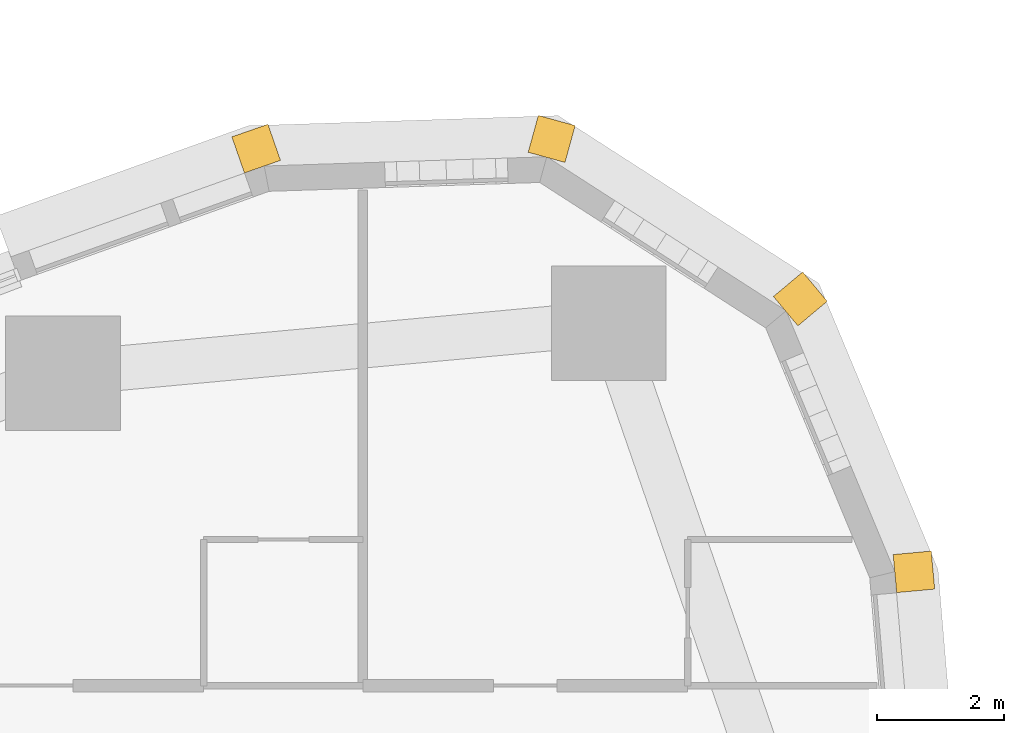
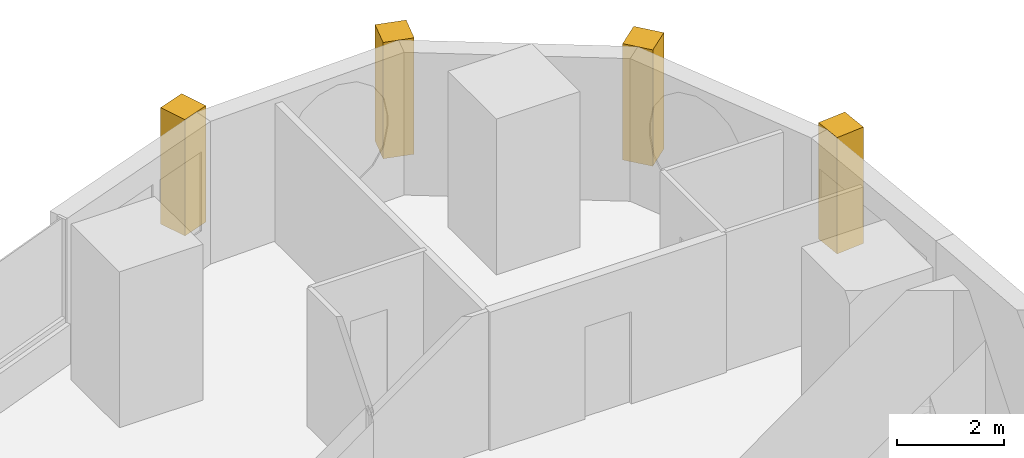
# One storey, part 19 of 19: 4 coverings.
"""IFC4 building model written with IfcOpenShell, lengths in metres."""

import ifcopenshell
import ifcopenshell.guid

model = None  # the IFC model being written
_history = None  # IfcOwnerHistory: only IFC2X3 demands one
_inside = {}  # id of a spatial element -> (the spatial element, [elements in it])
_under = {}  # id of a project, library or spatial element -> (it, [spatial elements below it])
_declared = {}  # id of a project -> (the project, [libraries it declares])
_typed = {}  # id of a type object -> (the type object, [elements of that type])
_made_of = {}  # id of a material, layer set ... -> (it, [elements and type objects made of it])


def new_model(schema):
    """Start an empty IFC model of exactly this schema.

    Asked for "IFC4X3", IfcOpenShell would pick the latest addendum, in which some entities
    have other attributes; the version numbers below select the first issue.
    IFC2X3 requires an IfcOwnerHistory on every rooted entity: one is made here for all.
    """
    global model, _history
    if schema == "IFC4X3":
        model = ifcopenshell.file(schema_version=(4, 3, 0, 0))
    else:
        model = ifcopenshell.file(schema=schema)
    _inside.clear()
    _under.clear()
    _declared.clear()
    _typed.clear()
    _made_of.clear()
    _history = None
    if model.schema == "IFC2X3":
        org = make("IfcOrganization", Name="unknown")
        user = make(
            "IfcPersonAndOrganization",
            ThePerson=make("IfcPerson", FamilyName="unknown"),
            TheOrganization=org,
        )
        app = make(
            "IfcApplication",
            ApplicationDeveloper=org,
            Version="unknown",
            ApplicationFullName="unknown",
            ApplicationIdentifier="unknown",
        )
        _history = make(
            "IfcOwnerHistory",
            OwningUser=user,
            OwningApplication=app,
            ChangeAction="ADDED",
            CreationDate=0,
        )
    return model


def make(cls, **values):
    """One entity of the class cls with the attributes given. An attribute that is None is left unset."""
    return model.create_entity(
        cls, **{name: value for name, value in values.items() if value is not None}
    )


def rooted(cls, **values):
    """An entity with a GlobalId (a new one), such as an element, a storey or a relation."""
    return make(cls, GlobalId=ifcopenshell.guid.new(), OwnerHistory=_history, **values)


def si_unit(unit_type, name, prefix=None):
    """IfcSIUnit, for example si_unit("LENGTHUNIT", "METRE", prefix="MILLI")."""
    return make("IfcSIUnit", UnitType=unit_type, Prefix=prefix, Name=name)


def assignment(units):
    """IfcUnitAssignment: the units of a project."""
    return None if units is None else make("IfcUnitAssignment", Units=units)


def point(xyz):
    """IfcCartesianPoint."""
    return None if xyz is None else make("IfcCartesianPoint", Coordinates=xyz)


def direction(xyz):
    """IfcDirection."""
    return None if xyz is None else make("IfcDirection", DirectionRatios=xyz)


def frame(location, z_axis=None, x_axis=None):
    """IfcAxis2Placement3D, a coordinate frame: its origin and axes. An axis left out is left unset."""
    return make(
        "IfcAxis2Placement3D",
        Location=point(location),
        Axis=direction(z_axis),
        RefDirection=direction(x_axis),
    )


def frame_2d(location, x_axis=None):
    """IfcAxis2Placement2D, a coordinate frame in the plane: its origin and x axis."""
    return make(
        "IfcAxis2Placement2D", Location=point(location), RefDirection=direction(x_axis)
    )


def origin():
    """The frame at (0, 0, 0) with its axes left unset."""
    return frame((0.0, 0.0, 0.0))


def place(relative_to, where):
    """IfcLocalPlacement: puts the frame where relative to a parent placement (None: the world)."""
    return make(
        "IfcLocalPlacement", PlacementRelTo=relative_to, RelativePlacement=where
    )


def context(
    kind, dimensions, precision=None, world=None, true_north=None, identifier=None
):
    """IfcGeometricRepresentationContext, for example the 3D "Model" context."""
    return make(
        "IfcGeometricRepresentationContext",
        ContextIdentifier=identifier,
        ContextType=kind,
        CoordinateSpaceDimension=dimensions,
        Precision=precision,
        WorldCoordinateSystem=world,
        TrueNorth=true_north,
    )


def subcontext(parent, identifier, kind, view, scale=None):
    """IfcGeometricRepresentationSubContext, for example "Body" below "Model"."""
    return make(
        "IfcGeometricRepresentationSubContext",
        ContextIdentifier=identifier,
        ContextType=kind,
        ParentContext=parent,
        TargetScale=scale,
        TargetView=view,
    )


def project(units=None, contexts=None):
    """IfcProject with its units and contexts."""
    return rooted(
        "IfcProject",
        Name="project",
        RepresentationContexts=contexts,
        UnitsInContext=assignment(units),
    )


def spatial(cls, under=None, at=None, **own):
    """A site, building, storey or space (cls), placed at a placement, below another one or the project."""
    s = rooted(cls, ObjectPlacement=at, **own)
    if under is not None:
        _under.setdefault(under.id(), (under, []))[1].append(s)
    return s


def profile(cls, at=None, kind="AREA", **sizes):
    """A parametric profile (cls). Its sizes go by their IFC names, for example OverallWidth=200.0."""
    return make(cls, ProfileType=kind, Position=at, **sizes)


def rectangle(**sizes):
    """IfcRectangleProfileDef."""
    return profile("IfcRectangleProfileDef", **sizes)


def extrude(swept, where, along, depth):
    """IfcExtrudedAreaSolid: the profile swept, set in the frame where, extruded along a direction by depth."""
    return make(
        "IfcExtrudedAreaSolid",
        SweptArea=swept,
        Position=where,
        ExtrudedDirection=direction(along),
        Depth=depth,
    )


def shape(context_of_items, identifier, shape_type, items):
    """IfcShapeRepresentation: the items that make up one representation, for example the "Body"."""
    return make(
        "IfcShapeRepresentation",
        ContextOfItems=context_of_items,
        RepresentationIdentifier=identifier,
        RepresentationType=shape_type,
        Items=items,
    )


def material(Name=None, Category=None):
    """IfcMaterial."""
    return make("IfcMaterial", Name=Name, Category=Category)


def layer(
    of_material, thickness, ventilated=None, Name=None, Category=None, Priority=None
):
    """IfcMaterialLayer: one layer of a wall or slab, of a material (None: an air gap)."""
    return make(
        "IfcMaterialLayer",
        Material=of_material,
        LayerThickness=thickness,
        IsVentilated=ventilated,
        Name=Name,
        Category=Category,
        Priority=Priority,
    )


def layer_set(layers, Name=None):
    """IfcMaterialLayerSet."""
    return make("IfcMaterialLayerSet", MaterialLayers=layers, LayerSetName=Name)


def made_of(thing, what):
    """Note that an element or type object is made of a material, layer set ...; save() writes the relation."""
    if what is not None:
        _made_of.setdefault(what.id(), (what, []))[1].append(thing)
    return thing


def type_object(cls, material=None, **own):
    """A type object (cls), such as IfcWallType, which elements share."""
    return made_of(rooted(cls, **own), material)


def element(
    cls,
    number,
    at=None,
    inside=None,
    cuts=None,
    type_object=None,
    material=None,
    context=None,
    identifier="Body",
    shape_type=None,
    held_by="IfcProductDefinitionShape",
    body=None,
    shapes=None,
    **own,
):
    """One element of the class cls, such as IfcWall. Its Tag is "e" and its number.

    at: its placement. inside: the storey or other place that contains it. cuts: it is an
    opening in that element (IfcRelVoidsElement). A single representation is given by context,
    identifier, shape_type and body (its items); several are given by shapes. held_by: the class
    of the entity that holds the representations. save() writes the other relations.
    """
    e = rooted(cls, Tag="e%d" % number, ObjectPlacement=at, **own)
    if body is not None:
        shapes = [shape(context, identifier, shape_type, body)]
    if shapes is not None:
        e.Representation = make(held_by, Representations=shapes)
    if inside is not None:
        _inside.setdefault(inside.id(), (inside, []))[1].append(e)
    if cuts is not None:
        rooted(
            "IfcRelVoidsElement", RelatingBuildingElement=cuts, RelatedOpeningElement=e
        )
    if type_object is not None:
        _typed.setdefault(type_object.id(), (type_object, []))[1].append(e)
    return made_of(e, material)


def aggregate(whole, parts):
    """IfcRelAggregates: a whole, such as a stair, and the parts it consists of."""
    return rooted("IfcRelAggregates", RelatingObject=whole, RelatedObjects=parts)


def save(model, path):
    """Write the relations noted so far, then the file.

    IfcRelAggregates (storeys below a building ...), IfcRelContainedInSpatialStructure (elements
    in a storey), IfcRelDefinesByType, IfcRelAssociatesMaterial and IfcRelDeclares: one each for
    every whole, place, type object, material and project.
    """
    for whole, parts in _under.values():
        aggregate(whole, parts)
    for where, things in _inside.values():
        rooted(
            "IfcRelContainedInSpatialStructure",
            RelatedElements=things,
            RelatingStructure=where,
        )
    for kind, things in _typed.values():
        rooted("IfcRelDefinesByType", RelatedObjects=things, RelatingType=kind)
    for what, things in _made_of.values():
        rooted("IfcRelAssociatesMaterial", RelatedObjects=things, RelatingMaterial=what)
    for by, libraries in _declared.values():
        rooted("IfcRelDeclares", RelatingContext=by, RelatedDefinitions=libraries)
    model.write(path)


model = new_model("IFC4")

# Units and contexts
model_context = context("Model", 3, precision=1e-05, world=origin(), true_north=direction((0.0, 1.0)))
body_context = subcontext(model_context, "Body", "Model", "MODEL_VIEW")
ifc_project = project(units=[si_unit("LENGTHUNIT", "METRE"), si_unit("AREAUNIT", "SQUARE_METRE"), si_unit("VOLUMEUNIT", "CUBIC_METRE"), si_unit("PLANEANGLEUNIT", "RADIAN"), si_unit("MASSUNIT", "GRAM", prefix="KILO")], contexts=[model_context])

# Site, building, storey
site_placement = place(None, origin())
site = spatial("IfcSite", under=ifc_project, at=site_placement, CompositionType="ELEMENT")
building_placement = place(site_placement, origin())
building = spatial("IfcBuilding", under=site, at=building_placement, Name="Ostrand Prow Hotel Tower", CompositionType="ELEMENT")
storey_placement = place(building_placement, frame((0.0, 0.0, 71.550048828125)))
storey = spatial("IfcBuildingStorey", under=building, at=storey_placement, Name="L16", CompositionType="ELEMENT", Elevation=71.550048828125)

# Coverings
ifc_material = material(Name="Limestone cladding", Category="masonry")
ifc_layer = layer(ifc_material, 0.60009765625)
ifc_layer_set = layer_set([ifc_layer], Name="Limestone cladding")
covering_type = type_object("IfcCoveringType", Name="Precast stone prow rib 600x600", PredefinedType="CLADDING", material=ifc_layer_set)
for number, where, z_axis, x_axis, name in (
    (1, (65.4580078125, 22.564453125, 0.599853515625), (0.0, 0.0, 1.0), (0.995724747837, 0.09237005221, 0.0), "Stone corner rib 16a"),
    (2, (63.74169921875, 26.6865234375, 0.599853515625), (0.0, 0.0, 1.0), (0.766985844654, 0.641664019639, 0.0), "Stone corner rib 17a"),
    (3, (59.98681640625, 29.1025390625, 0.599853515625), (0.0, 0.0, 1.0), (0.266111535611, 0.963942244439, 0.0), "Stone corner rib 18a"),
    (4, (55.524169921875, 28.956298828125, 0.599853515625), (0.0, 0.0, 1.0), (-0.328773122904, 0.94440893349, 0.0), "Stone corner rib 18b"),
):
    element("IfcCovering", number, at=place(storey_placement, frame(where, z_axis=z_axis, x_axis=x_axis)), inside=storey, type_object=covering_type, Name=name, PredefinedType="CLADDING", context=body_context, shape_type="SweptSolid", body=[
        extrude(rectangle(XDim=0.60009765625, YDim=0.60009765625, at=frame_2d((0.300048828125, 0.0))), origin(), (0.0, 0.0, 1.0), 2.650146484375),
    ])

save(model, "model.ifc")
